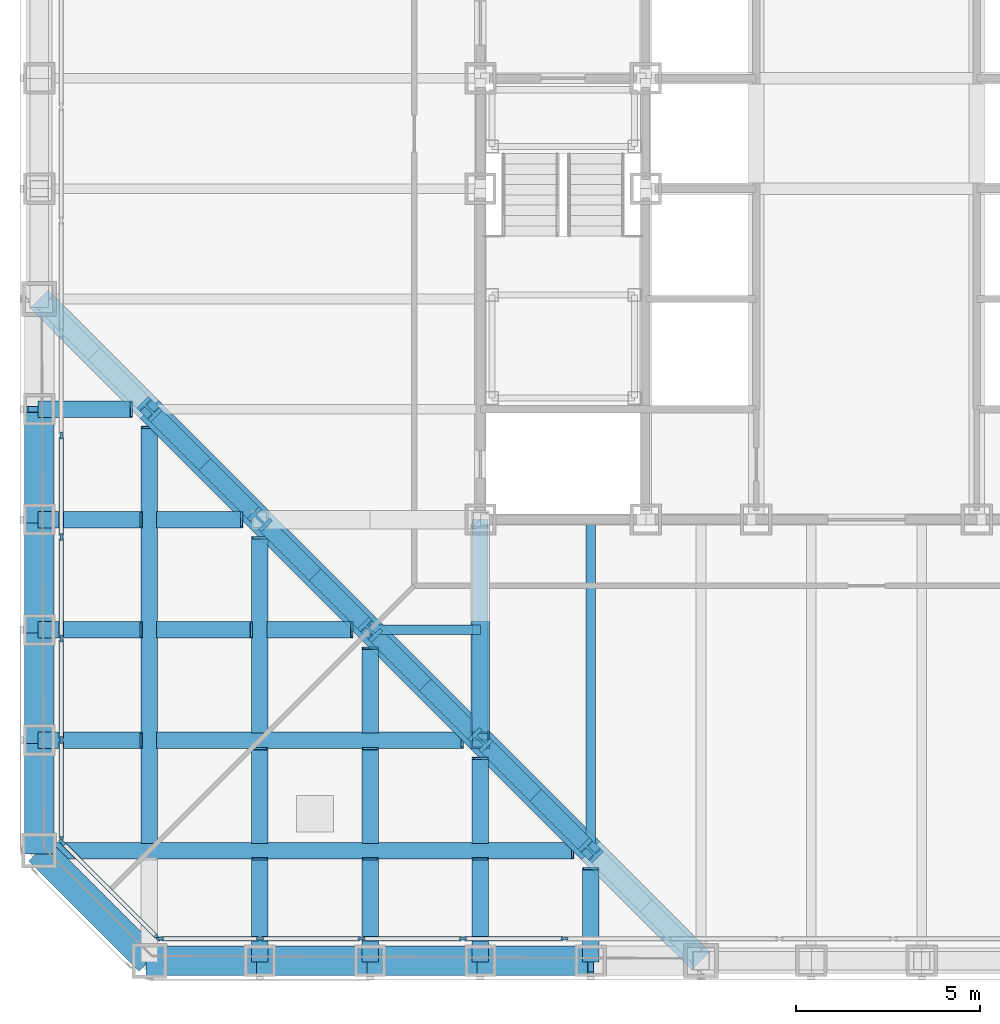
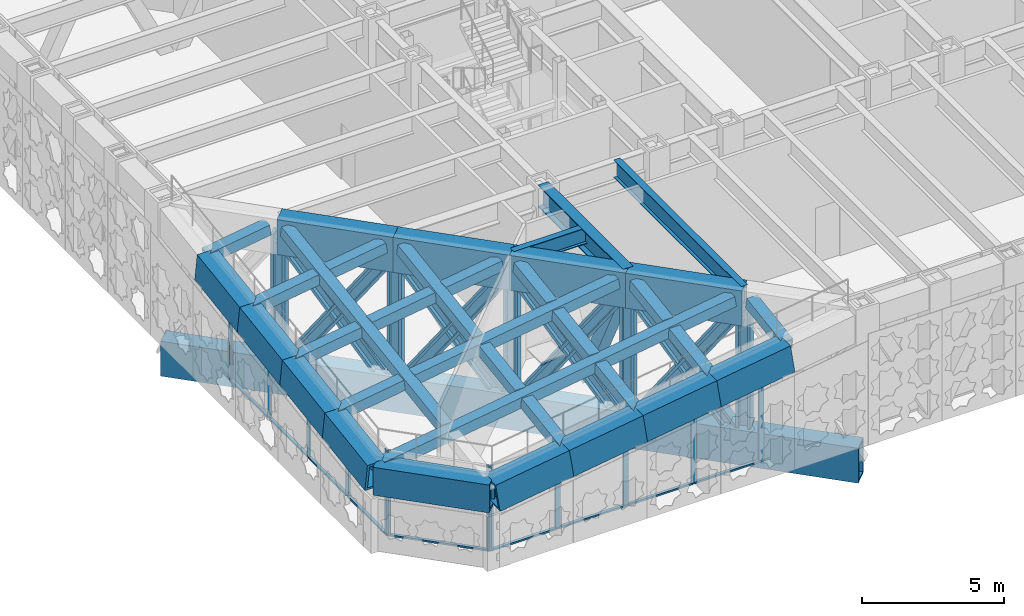
# One storey, part 4 of 31: 40 members, 31 beams, 3 elements without a shape of their own.
"""IFC4 building model written with IfcOpenShell, lengths in metres."""

from ifc_helpers import new_model, si_unit, direction, frame, origin, origin_2d, place, context, subcontext, project, spatial, rectangle, hollow_rectangle, i_section, extrude, material, layer, layer_set, material_profile, profile_set, type_object, element, aggregate, save


model = new_model("IFC4")

# Units and contexts
model_context = context("Model", 3, precision=1e-05, world=origin(), true_north=direction((0.0, 1.0)))
body_context = subcontext(model_context, "Body", "Model", "MODEL_VIEW")
ifc_project = project(units=[si_unit("LENGTHUNIT", "METRE"), si_unit("AREAUNIT", "SQUARE_METRE"), si_unit("VOLUMEUNIT", "CUBIC_METRE"), si_unit("PLANEANGLEUNIT", "RADIAN"), si_unit("MASSUNIT", "GRAM", prefix="KILO")], contexts=[model_context])

# Site, building, storey
site_placement = place(None, origin())
site = spatial("IfcSite", under=ifc_project, at=site_placement, CompositionType="ELEMENT")
building_placement = place(site_placement, origin())
building = spatial("IfcBuilding", under=site, at=building_placement, Name="Chuquiago Exchange Tower", CompositionType="ELEMENT")
storey_placement = place(building_placement, frame((0.0, 0.0, 96.300048828125)))
storey = spatial("IfcBuildingStorey", under=building, at=storey_placement, Name="L20", CompositionType="ELEMENT", Elevation=96.300048828125)

# Beams
ifc_material_1 = material(Name="Steel ASTM A992", Category="steel")
ifc_material_profile_1 = material_profile(ifc_material_1, i_section(OverallWidth=0.2666015625, OverallDepth=0.761962890625, WebThickness=0.014404296875, FlangeThickness=0.021484375, at=origin_2d()), Name="W30X116")
ifc_profile_set_1 = profile_set([ifc_material_profile_1], Name="Steel ASTM A992")
beam_type_1 = type_object("IfcBeamType", Name="B8 W30X116", PredefinedType="BEAM", material=ifc_profile_set_1)
beam_1_placement = place(storey_placement, frame((15.0, 12.0, 5.458984375), z_axis=(0.0, -1.0, 0.0), x_axis=(1.0, 0.0, 0.0)))
element("IfcBeam", 1, at=beam_1_placement, inside=storey, type_object=beam_type_1, Name="FB-L21-infill-15_12-15_3-0", PredefinedType="BEAM", context=body_context, shape_type="SweptSolid", body=[
    extrude(i_section(OverallWidth=0.2666015625, OverallDepth=0.761962890625, WebThickness=0.014404296875, FlangeThickness=0.021484375, at=origin_2d()), origin(), (0.0, 0.0, 1.0), 9.0),
])
ifc_material_2 = material(Name="Steel ASTM A992", Category="steel")
ifc_material_profile_2 = material_profile(ifc_material_2, i_section(OverallWidth=0.256591796875, OverallDepth=0.693359375, WebThickness=0.014404296875, FlangeThickness=0.023681640625, at=origin_2d()), Name="W27X114")
ifc_profile_set_2 = profile_set([ifc_material_profile_2], Name="Steel ASTM A992")
beam_type_2 = type_object("IfcBeamType", Name="B9 W27X114", PredefinedType="BEAM", material=ifc_profile_set_2)
beam_2_placement = place(storey_placement, frame((12.0, 9.0, 5.4931640625), z_axis=(-1.0, 0.0, 0.0), x_axis=(0.0, -1.0, 0.0)))
element("IfcBeam", 2, at=beam_2_placement, inside=storey, type_object=beam_type_2, Name="FB-L21-corner-12_9-9_9-0", PredefinedType="BEAM", context=body_context, shape_type="SweptSolid", body=[
    extrude(i_section(OverallWidth=0.256591796875, OverallDepth=0.693359375, WebThickness=0.014404296875, FlangeThickness=0.023681640625, at=origin_2d()), origin(), (0.0, 0.0, 1.0), 3.0),
])

# Curtain wall, members
ifc_material_3 = material(Name="Aluminium curtain wall system", Category="aluminium")
ifc_layer = layer(ifc_material_3, 0.199951171875)
ifc_layer_set = layer_set([ifc_layer], Name="CW6 plant floor louvre wall")
curtain_wall_type = type_object("IfcCurtainWallType", Name="CW6 plant floor louvre wall", PredefinedType="NOTDEFINED", material=ifc_layer_set)
curtain_wall_1_placement = place(storey_placement, origin())
curtain_wall_1 = element("IfcCurtainWall", 3, at=curtain_wall_1_placement, inside=storey, type_object=curtain_wall_type, Name="CW6 curtain wall L20", PredefinedType="NOTDEFINED")
ifc_material_4 = material(Name="Aluminium mullion, pale anodised", Category="aluminium")
ifc_material_profile_3 = material_profile(ifc_material_4, rectangle(XDim=0.074951171875, YDim=0.199951171875, at=origin_2d()), Name="AL 75x200")
ifc_profile_set_3 = profile_set([ifc_material_profile_3], Name="Aluminium mullion, pale anodised")
member_type_1 = type_object("IfcMemberType", Name="CW6-M mullion 75x200", PredefinedType="MULLION", material=ifc_profile_set_3)
member_1_placement = place(storey_placement, frame((3.285888671875, 0.60009765625, 0.0), z_axis=(0.0, 0.0, 1.0), x_axis=(0.0, 1.0, 0.0)))
member_1 = element("IfcMember", 4, at=member_1_placement, type_object=member_type_1, Name="CW6 mullion 1", PredefinedType="MULLION", context=body_context, shape_type="SweptSolid", body=[
    extrude(rectangle(XDim=0.074951171875, YDim=0.199951171875, at=origin_2d()), origin(), (0.0, 0.0, 1.0), 3.66845703125),
])
member_2_placement = place(storey_placement, frame((6.008056640625, 0.60009765625, 0.0), z_axis=(0.0, 0.0, 1.0), x_axis=(0.0, 1.0, 0.0)))
member_2 = element("IfcMember", 5, at=member_2_placement, type_object=member_type_1, Name="CW6 mullion 2", PredefinedType="MULLION", context=body_context, shape_type="SweptSolid", body=[
    extrude(rectangle(XDim=0.074951171875, YDim=0.199951171875, at=origin_2d()), origin(), (0.0, 0.0, 1.0), 3.66845703125),
])
member_3_placement = place(storey_placement, frame((8.767578125, 0.60009765625, 0.0), z_axis=(0.0, 0.0, 1.0), x_axis=(0.0, 1.0, 0.0)))
member_3 = element("IfcMember", 6, at=member_3_placement, type_object=member_type_1, Name="CW6 mullion 3", PredefinedType="MULLION", context=body_context, shape_type="SweptSolid", body=[
    extrude(rectangle(XDim=0.074951171875, YDim=0.199951171875, at=origin_2d()), origin(), (0.0, 0.0, 1.0), 3.66845703125),
])
member_4_placement = place(storey_placement, frame((11.52734375, 0.60009765625, 0.0), z_axis=(0.0, 0.0, 1.0), x_axis=(0.0, 1.0, 0.0)))
member_4 = element("IfcMember", 7, at=member_4_placement, type_object=member_type_1, Name="CW6 mullion 4", PredefinedType="MULLION", context=body_context, shape_type="SweptSolid", body=[
    extrude(rectangle(XDim=0.074951171875, YDim=0.199951171875, at=origin_2d()), origin(), (0.0, 0.0, 1.0), 3.66845703125),
])
member_5_placement = place(storey_placement, frame((14.286865234375, 0.60009765625, 0.0), z_axis=(0.0, 0.0, 1.0), x_axis=(0.0, 1.0, 0.0)))
member_5 = element("IfcMember", 8, at=member_5_placement, type_object=member_type_1, Name="CW6 mullion 5", PredefinedType="MULLION", context=body_context, shape_type="SweptSolid", body=[
    extrude(rectangle(XDim=0.074951171875, YDim=0.199951171875, at=origin_2d()), origin(), (0.0, 0.0, 1.0), 3.66845703125),
])

curtain_wall_2_placement = place(storey_placement, origin())
curtain_wall_2 = element("IfcCurtainWall", 9, at=curtain_wall_2_placement, inside=storey, type_object=curtain_wall_type, Name="CW6 curtain wall L20", PredefinedType="NOTDEFINED")
member_6_placement = place(storey_placement, frame((0.60009765625, 14.286865234375, 0.0), z_axis=(0.0, 0.0, 1.0), x_axis=(1.0, 0.0, 0.0)))
member_6 = element("IfcMember", 10, at=member_6_placement, type_object=member_type_1, Name="CW6 mullion 2", PredefinedType="MULLION", context=body_context, shape_type="SweptSolid", body=[
    extrude(rectangle(XDim=0.074951171875, YDim=0.199951171875, at=origin_2d()), origin(), (0.0, 0.0, 1.0), 3.66845703125),
])
member_7_placement = place(storey_placement, frame((0.60009765625, 11.52734375, 0.0), z_axis=(0.0, 0.0, 1.0), x_axis=(1.0, 0.0, 0.0)))
member_7 = element("IfcMember", 11, at=member_7_placement, type_object=member_type_1, Name="CW6 mullion 3", PredefinedType="MULLION", context=body_context, shape_type="SweptSolid", body=[
    extrude(rectangle(XDim=0.074951171875, YDim=0.199951171875, at=origin_2d()), origin(), (0.0, 0.0, 1.0), 3.66845703125),
])
member_8_placement = place(storey_placement, frame((0.60009765625, 8.767822265625, 0.0), z_axis=(0.0, 0.0, 1.0), x_axis=(1.0, 0.0, 0.0)))
member_8 = element("IfcMember", 12, at=member_8_placement, type_object=member_type_1, Name="CW6 mullion 4", PredefinedType="MULLION", context=body_context, shape_type="SweptSolid", body=[
    extrude(rectangle(XDim=0.074951171875, YDim=0.199951171875, at=origin_2d()), origin(), (0.0, 0.0, 1.0), 3.66845703125),
])
member_9_placement = place(storey_placement, frame((0.60009765625, 6.00830078125, 0.0), z_axis=(0.0, 0.0, 1.0), x_axis=(1.0, 0.0, 0.0)))
member_9 = element("IfcMember", 13, at=member_9_placement, type_object=member_type_1, Name="CW6 mullion 5", PredefinedType="MULLION", context=body_context, shape_type="SweptSolid", body=[
    extrude(rectangle(XDim=0.074951171875, YDim=0.199951171875, at=origin_2d()), origin(), (0.0, 0.0, 1.0), 3.66845703125),
])
member_10_placement = place(storey_placement, frame((0.60009765625, 3.2861328125, 0.0), z_axis=(0.0, 0.0, 1.0), x_axis=(1.0, 0.0, 0.0)))
member_10 = element("IfcMember", 14, at=member_10_placement, type_object=member_type_1, Name="CW6 mullion 6", PredefinedType="MULLION", context=body_context, shape_type="SweptSolid", body=[
    extrude(rectangle(XDim=0.074951171875, YDim=0.199951171875, at=origin_2d()), origin(), (0.0, 0.0, 1.0), 3.66845703125),
])

curtain_wall_3_placement = place(storey_placement, origin())
curtain_wall_3 = element("IfcCurtainWall", 15, at=curtain_wall_3_placement, inside=storey, type_object=curtain_wall_type, Name="CW6 curtain wall L20", PredefinedType="NOTDEFINED")
member_11_placement = place(storey_placement, frame((0.62646484375, 3.221923828125, 0.0), z_axis=(0.0, 0.0, 1.0), x_axis=(0.707106781187, 0.707106781187, 0.0)))
member_11 = element("IfcMember", 16, at=member_11_placement, type_object=member_type_1, Name="CW6 mullion 1", PredefinedType="MULLION", context=body_context, shape_type="SweptSolid", body=[
    extrude(rectangle(XDim=0.074951171875, YDim=0.199951171875, at=origin_2d()), origin(), (0.0, 0.0, 1.0), 3.66845703125),
])
member_12_placement = place(storey_placement, frame((3.221923828125, 0.62646484375, 0.0), z_axis=(0.0, 0.0, 1.0), x_axis=(0.707106781187, 0.707106781187, 0.0)))
member_12 = element("IfcMember", 17, at=member_12_placement, type_object=member_type_1, Name="CW6 mullion 2", PredefinedType="MULLION", context=body_context, shape_type="SweptSolid", body=[
    extrude(rectangle(XDim=0.074951171875, YDim=0.199951171875, at=origin_2d()), origin(), (0.0, 0.0, 1.0), 3.66845703125),
])

# Member
ifc_material_5 = material(Name="Aluminium transom, pale anodised", Category="aluminium")
ifc_material_profile_4 = material_profile(ifc_material_5, rectangle(XDim=0.1201171875, YDim=0.074951171875, at=origin_2d()), Name="AL 120x75")
ifc_profile_set_4 = profile_set([ifc_material_profile_4], Name="Aluminium transom, pale anodised")
member_type_2 = type_object("IfcMemberType", Name="CW6-T transom 75x120", PredefinedType="MULLION", material=ifc_profile_set_4)
member_13_placement = place(storey_placement, frame((3.323486328125, 0.60009765625, 0.037353515625), z_axis=(1.0, 0.0, 0.0), x_axis=(0.0, 1.0, 0.0)))
member_13 = element("IfcMember", 18, at=member_13_placement, type_object=member_type_2, Name="CW6 transom 1.1", PredefinedType="MULLION", context=body_context, shape_type="SweptSolid", body=[
    extrude(rectangle(XDim=0.1201171875, YDim=0.074951171875, at=origin_2d()), origin(), (0.0, 0.0, 1.0), 2.64697265625),
])

member_14_placement = place(storey_placement, frame((6.045654296875, 0.60009765625, 0.037353515625), z_axis=(1.0, 0.0, 0.0), x_axis=(0.0, 1.0, 0.0)))
member_14 = element("IfcMember", 19, at=member_14_placement, type_object=member_type_2, Name="CW6 transom 2.1", PredefinedType="MULLION", context=body_context, shape_type="SweptSolid", body=[
    extrude(rectangle(XDim=0.1201171875, YDim=0.074951171875, at=origin_2d()), origin(), (0.0, 0.0, 1.0), 2.6845703125),
])

member_15_placement = place(storey_placement, frame((8.80517578125, 0.60009765625, 0.037353515625), z_axis=(1.0, 0.0, 0.0), x_axis=(0.0, 1.0, 0.0)))
member_15 = element("IfcMember", 20, at=member_15_placement, type_object=member_type_2, Name="CW6 transom 3.1", PredefinedType="MULLION", context=body_context, shape_type="SweptSolid", body=[
    extrude(rectangle(XDim=0.1201171875, YDim=0.074951171875, at=origin_2d()), origin(), (0.0, 0.0, 1.0), 2.6845703125),
])

member_16_placement = place(storey_placement, frame((11.564697265625, 0.60009765625, 0.037353515625), z_axis=(1.0, 0.0, 0.0), x_axis=(0.0, 1.0, 0.0)))
member_16 = element("IfcMember", 21, at=member_16_placement, type_object=member_type_2, Name="CW6 transom 4.1", PredefinedType="MULLION", context=body_context, shape_type="SweptSolid", body=[
    extrude(rectangle(XDim=0.1201171875, YDim=0.074951171875, at=origin_2d()), origin(), (0.0, 0.0, 1.0), 2.6845703125),
])

aggregate(curtain_wall_1, [member_1, member_2, member_3, member_4, member_5, member_13, member_14, member_15, member_16])

member_17_placement = place(storey_placement, frame((0.60009765625, 14.24951171875, 0.037353515625), z_axis=(0.0, -1.0, 0.0), x_axis=(1.0, 0.0, 0.0)))
member_17 = element("IfcMember", 22, at=member_17_placement, type_object=member_type_2, Name="CW6 transom 2.1", PredefinedType="MULLION", context=body_context, shape_type="SweptSolid", body=[
    extrude(rectangle(XDim=0.1201171875, YDim=0.074951171875, at=origin_2d()), origin(), (0.0, 0.0, 1.0), 2.6845703125),
])

member_18_placement = place(storey_placement, frame((0.60009765625, 11.48974609375, 0.037353515625), z_axis=(0.0, -1.0, 0.0), x_axis=(1.0, 0.0, 0.0)))
member_18 = element("IfcMember", 23, at=member_18_placement, type_object=member_type_2, Name="CW6 transom 3.1", PredefinedType="MULLION", context=body_context, shape_type="SweptSolid", body=[
    extrude(rectangle(XDim=0.1201171875, YDim=0.074951171875, at=origin_2d()), origin(), (0.0, 0.0, 1.0), 2.6845703125),
])

member_19_placement = place(storey_placement, frame((0.60009765625, 8.730224609375, 0.037353515625), z_axis=(0.0, -1.0, 0.0), x_axis=(1.0, 0.0, 0.0)))
member_19 = element("IfcMember", 24, at=member_19_placement, type_object=member_type_2, Name="CW6 transom 4.1", PredefinedType="MULLION", context=body_context, shape_type="SweptSolid", body=[
    extrude(rectangle(XDim=0.1201171875, YDim=0.074951171875, at=origin_2d()), origin(), (0.0, 0.0, 1.0), 2.6845703125),
])

member_20_placement = place(storey_placement, frame((0.60009765625, 5.970703125, 0.037353515625), z_axis=(0.0, -1.0, 0.0), x_axis=(1.0, 0.0, 0.0)))
member_20 = element("IfcMember", 25, at=member_20_placement, type_object=member_type_2, Name="CW6 transom 5.1", PredefinedType="MULLION", context=body_context, shape_type="SweptSolid", body=[
    extrude(rectangle(XDim=0.1201171875, YDim=0.074951171875, at=origin_2d()), origin(), (0.0, 0.0, 1.0), 2.647216796875),
])

aggregate(curtain_wall_2, [member_6, member_7, member_8, member_9, member_10, member_17, member_18, member_19, member_20])

member_21_placement = place(storey_placement, frame((0.653076171875, 3.195556640625, 0.037353515625), z_axis=(0.707106781187, -0.707106781187, 0.0), x_axis=(0.707106781187, 0.707106781187, 0.0)))
member_21 = element("IfcMember", 26, at=member_21_placement, type_object=member_type_2, Name="CW6 transom 1.1", PredefinedType="MULLION", context=body_context, shape_type="SweptSolid", body=[
    extrude(rectangle(XDim=0.1201171875, YDim=0.074951171875, at=origin_2d()), origin(), (0.0, 0.0, 1.0), 3.595703125),
])

aggregate(curtain_wall_3, [member_11, member_12, member_21])

# Beams
ifc_material_6 = material(Name="Steel ASTM A572 Grade 50", Category="steel")
ifc_material_profile_5 = material_profile(ifc_material_6, hollow_rectangle(XDim=0.800048828125, YDim=1.199951171875, WallThickness=0.10009765625, at=origin_2d()), Name="BOX1200X800X100")
ifc_profile_set_5 = profile_set([ifc_material_profile_5], Name="Steel ASTM A572 Grade 50")
beam_type_3 = type_object("IfcBeamType", Name="EB1 BOX1200X800X100", PredefinedType="BEAM", material=ifc_profile_set_5)
for number, where, z_axis, x_axis, name in (
    (27, (3.0, 0.0, 2.945556640625), (0.988903271683, 0.0, 0.148560826784), (0.0, 1.0, 0.0), "Facet roof edge beam L20"),
    (28, (6.0, 0.0, 3.396240234375), (0.98889144561, 0.0, 0.148639526371), (0.0, 1.0, 0.0), "Facet roof edge beam L20"),
    (29, (9.0, 0.0, 3.84716796875), (0.98889144561, 0.0, 0.148639526371), (0.0, 1.0, 0.0), "Facet roof edge beam L20"),
    (30, (12.0, 0.0, 4.298095703125), (0.98889144561, 0.0, 0.148639526371), (0.0, 1.0, 0.0), "Facet roof edge beam L20"),
    (31, (0.0, 15.0, 4.7490234375), (0.0, -0.98889144561, -0.148639526371), (1.0, 0.0, 0.0), "Facet roof edge beam L20"),
    (32, (0.0, 12.0, 4.298095703125), (0.0, -0.98889144561, -0.148639526371), (1.0, 0.0, 0.0), "Facet roof edge beam L20"),
    (33, (0.0, 9.0, 3.84716796875), (0.0, -0.98889144561, -0.148639526371), (1.0, 0.0, 0.0), "Facet roof edge beam L20"),
    (34, (0.0, 6.0, 3.396240234375), (0.0, -0.988903271683, -0.148560826784), (1.0, 0.0, 0.0), "Facet roof edge beam L20"),
):
    element("IfcBeam", number, at=place(storey_placement, frame(where, z_axis=z_axis, x_axis=x_axis)), inside=storey, type_object=beam_type_3, Name=name, PredefinedType="BEAM", context=body_context, shape_type="SweptSolid", body=[
        extrude(hollow_rectangle(XDim=0.800048828125, YDim=1.199951171875, WallThickness=0.10009765625, at=origin_2d()), origin(), (0.0, 0.0, 1.0), 3.03369140625),
    ])
beam_3_placement = place(storey_placement, frame((0.0, 3.0, 2.945556640625), z_axis=(0.707106781187, -0.707106781187, 0.0), x_axis=(0.707106781187, 0.707106781187, 0.0)))
element("IfcBeam", 35, at=beam_3_placement, inside=storey, type_object=beam_type_3, Name="Facet roof edge beam L20", PredefinedType="BEAM", context=body_context, shape_type="SweptSolid", body=[
    extrude(hollow_rectangle(XDim=0.800048828125, YDim=1.199951171875, WallThickness=0.10009765625, at=origin_2d()), origin(), (0.0, 0.0, 1.0), 4.24267578125),
])
ifc_material_7 = material(Name="Steel ASTM A572 Grade 50", Category="steel")
ifc_material_profile_6 = material_profile(ifc_material_7, hollow_rectangle(XDim=0.449951171875, YDim=0.449951171875, WallThickness=0.034912109375, at=origin_2d()), Name="BOX450X450X35")
ifc_profile_set_6 = profile_set([ifc_material_profile_6], Name="Steel ASTM A572 Grade 50")
beam_type_4 = type_object("IfcBeamType", Name="FR1 BOX450X450X35", PredefinedType="BEAM", material=ifc_profile_set_6)
beam_4_placement = place(storey_placement, frame((2.507080078125, 15.0, 5.464599609375), z_axis=(-0.988884730107, 0.0, -0.148684197418), x_axis=(0.0, -1.0, 0.0)))
element("IfcBeam", 36, at=beam_4_placement, inside=storey, type_object=beam_type_4, Name="Facet roof rafter L20", PredefinedType="BEAM", context=body_context, shape_type="SweptSolid", body=[
    extrude(hollow_rectangle(XDim=0.449951171875, YDim=0.449951171875, WallThickness=0.034912109375, at=origin_2d()), origin(), (0.0, 0.0, 1.0), 2.53515625),
])
beam_5_placement = place(storey_placement, frame((3.0, 14.507080078125, 5.464599609375), z_axis=(0.0, -0.988891258488, -0.148640771277), x_axis=(1.0, 0.0, 0.0)))
element("IfcBeam", 37, at=beam_5_placement, inside=storey, type_object=beam_type_4, Name="Facet roof rafter L20", PredefinedType="BEAM", context=body_context, shape_type="SweptSolid", body=[
    extrude(hollow_rectangle(XDim=0.449951171875, YDim=0.449951171875, WallThickness=0.034912109375, at=origin_2d()), origin(), (0.0, 0.0, 1.0), 11.40869140625),
])
beam_6_placement = place(storey_placement, frame((5.507080078125, 12.0, 5.464599609375), z_axis=(-0.988890520477, 0.0, -0.148645681103), x_axis=(0.0, -1.0, 0.0)))
element("IfcBeam", 38, at=beam_6_placement, inside=storey, type_object=beam_type_4, Name="Facet roof rafter L20", PredefinedType="BEAM", context=body_context, shape_type="SweptSolid", body=[
    extrude(hollow_rectangle(XDim=0.449951171875, YDim=0.449951171875, WallThickness=0.034912109375, at=origin_2d()), origin(), (0.0, 0.0, 1.0), 2.3076171875),
])
beam_7_placement = place(storey_placement, frame((2.77490234375, 12.0, 5.053955078125), z_axis=(-0.988896750706, 0.0, -0.148604227539), x_axis=(0.0, -1.0, 0.0)))
element("IfcBeam", 39, at=beam_7_placement, inside=storey, type_object=beam_type_4, Name="Facet roof rafter L20", PredefinedType="BEAM", context=body_context, shape_type="SweptSolid", body=[
    extrude(hollow_rectangle(XDim=0.449951171875, YDim=0.449951171875, WallThickness=0.034912109375, at=origin_2d()), origin(), (0.0, 0.0, 1.0), 2.80615234375),
])
beam_8_placement = place(storey_placement, frame((6.0, 11.507080078125, 5.464599609375), z_axis=(0.0, -0.988891045928, -0.148642185411), x_axis=(1.0, 0.0, 0.0)))
element("IfcBeam", 40, at=beam_8_placement, inside=storey, type_object=beam_type_4, Name="Facet roof rafter L20", PredefinedType="BEAM", context=body_context, shape_type="SweptSolid", body=[
    extrude(hollow_rectangle(XDim=0.449951171875, YDim=0.449951171875, WallThickness=0.034912109375, at=origin_2d()), origin(), (0.0, 0.0, 1.0), 5.34130859375),
])
beam_9_placement = place(storey_placement, frame((6.0, 5.77490234375, 4.60302734375), z_axis=(0.0, -0.988889076053, -0.148655290062), x_axis=(1.0, 0.0, 0.0)))
element("IfcBeam", 41, at=beam_9_placement, inside=storey, type_object=beam_type_4, Name="Facet roof rafter L20", PredefinedType="BEAM", context=body_context, shape_type="SweptSolid", body=[
    extrude(hollow_rectangle(XDim=0.449951171875, YDim=0.449951171875, WallThickness=0.034912109375, at=origin_2d()), origin(), (0.0, 0.0, 1.0), 2.578369140625),
])
beam_10_placement = place(storey_placement, frame((6.0, 2.77490234375, 4.152099609375), z_axis=(0.0, -0.988896750706, -0.148604227539), x_axis=(1.0, 0.0, 0.0)))
element("IfcBeam", 42, at=beam_10_placement, inside=storey, type_object=beam_type_4, Name="Facet roof rafter L20", PredefinedType="BEAM", context=body_context, shape_type="SweptSolid", body=[
    extrude(hollow_rectangle(XDim=0.449951171875, YDim=0.449951171875, WallThickness=0.034912109375, at=origin_2d()), origin(), (0.0, 0.0, 1.0), 2.80615234375),
])
beam_11_placement = place(storey_placement, frame((8.507080078125, 9.0, 5.464599609375), z_axis=(-0.988890520477, 0.0, -0.148645681103), x_axis=(0.0, -1.0, 0.0)))
element("IfcBeam", 43, at=beam_11_placement, inside=storey, type_object=beam_type_4, Name="Facet roof rafter L20", PredefinedType="BEAM", context=body_context, shape_type="SweptSolid", body=[
    extrude(hollow_rectangle(XDim=0.449951171875, YDim=0.449951171875, WallThickness=0.034912109375, at=origin_2d()), origin(), (0.0, 0.0, 1.0), 2.3076171875),
])
beam_12_placement = place(storey_placement, frame((5.77490234375, 9.0, 5.053955078125), z_axis=(-0.988889076053, 0.0, -0.148655290062), x_axis=(0.0, -1.0, 0.0)))
element("IfcBeam", 44, at=beam_12_placement, inside=storey, type_object=beam_type_4, Name="Facet roof rafter L20", PredefinedType="BEAM", context=body_context, shape_type="SweptSolid", body=[
    extrude(hollow_rectangle(XDim=0.449951171875, YDim=0.449951171875, WallThickness=0.034912109375, at=origin_2d()), origin(), (0.0, 0.0, 1.0), 2.578369140625),
])
beam_13_placement = place(storey_placement, frame((2.77490234375, 9.0, 4.60302734375), z_axis=(-0.988896750706, 0.0, -0.148604227539), x_axis=(0.0, -1.0, 0.0)))
element("IfcBeam", 45, at=beam_13_placement, inside=storey, type_object=beam_type_4, Name="Facet roof rafter L20", PredefinedType="BEAM", context=body_context, shape_type="SweptSolid", body=[
    extrude(hollow_rectangle(XDim=0.449951171875, YDim=0.449951171875, WallThickness=0.034912109375, at=origin_2d()), origin(), (0.0, 0.0, 1.0), 2.80615234375),
])
beam_14_placement = place(storey_placement, frame((9.0, 8.507080078125, 5.464599609375), z_axis=(0.0, -0.988890520477, -0.148645681103), x_axis=(1.0, 0.0, 0.0)))
element("IfcBeam", 46, at=beam_14_placement, inside=storey, type_object=beam_type_4, Name="Facet roof rafter L20", PredefinedType="BEAM", context=body_context, shape_type="SweptSolid", body=[
    extrude(hollow_rectangle(XDim=0.449951171875, YDim=0.449951171875, WallThickness=0.034912109375, at=origin_2d()), origin(), (0.0, 0.0, 1.0), 2.3076171875),
])
beam_15_placement = place(storey_placement, frame((9.0, 5.77490234375, 5.053955078125), z_axis=(0.0, -0.988889076053, -0.148655290062), x_axis=(1.0, 0.0, 0.0)))
element("IfcBeam", 47, at=beam_15_placement, inside=storey, type_object=beam_type_4, Name="Facet roof rafter L20", PredefinedType="BEAM", context=body_context, shape_type="SweptSolid", body=[
    extrude(hollow_rectangle(XDim=0.449951171875, YDim=0.449951171875, WallThickness=0.034912109375, at=origin_2d()), origin(), (0.0, 0.0, 1.0), 2.578369140625),
])
beam_16_placement = place(storey_placement, frame((9.0, 2.77490234375, 4.60302734375), z_axis=(0.0, -0.988896750706, -0.148604227539), x_axis=(1.0, 0.0, 0.0)))
element("IfcBeam", 48, at=beam_16_placement, inside=storey, type_object=beam_type_4, Name="Facet roof rafter L20", PredefinedType="BEAM", context=body_context, shape_type="SweptSolid", body=[
    extrude(hollow_rectangle(XDim=0.449951171875, YDim=0.449951171875, WallThickness=0.034912109375, at=origin_2d()), origin(), (0.0, 0.0, 1.0), 2.80615234375),
])
beam_17_placement = place(storey_placement, frame((11.507080078125, 6.0, 5.464599609375), z_axis=(-0.988891190706, 0.0, -0.148641222221), x_axis=(0.0, -1.0, 0.0)))
element("IfcBeam", 49, at=beam_17_placement, inside=storey, type_object=beam_type_4, Name="Facet roof rafter L20", PredefinedType="BEAM", context=body_context, shape_type="SweptSolid", body=[
    extrude(hollow_rectangle(XDim=0.449951171875, YDim=0.449951171875, WallThickness=0.034912109375, at=origin_2d()), origin(), (0.0, 0.0, 1.0), 8.375),
])
beam_18_placement = place(storey_placement, frame((2.77490234375, 6.0, 4.152099609375), z_axis=(-0.988896750706, 0.0, -0.148604227539), x_axis=(0.0, -1.0, 0.0)))
element("IfcBeam", 50, at=beam_18_placement, inside=storey, type_object=beam_type_4, Name="Facet roof rafter L20", PredefinedType="BEAM", context=body_context, shape_type="SweptSolid", body=[
    extrude(hollow_rectangle(XDim=0.449951171875, YDim=0.449951171875, WallThickness=0.034912109375, at=origin_2d()), origin(), (0.0, 0.0, 1.0), 2.80615234375),
])
beam_19_placement = place(storey_placement, frame((12.0, 5.507080078125, 5.464599609375), z_axis=(0.0, -0.988890520477, -0.148645681103), x_axis=(1.0, 0.0, 0.0)))
element("IfcBeam", 51, at=beam_19_placement, inside=storey, type_object=beam_type_4, Name="Facet roof rafter L20", PredefinedType="BEAM", context=body_context, shape_type="SweptSolid", body=[
    extrude(hollow_rectangle(XDim=0.449951171875, YDim=0.449951171875, WallThickness=0.034912109375, at=origin_2d()), origin(), (0.0, 0.0, 1.0), 2.3076171875),
])
beam_20_placement = place(storey_placement, frame((12.0, 2.77490234375, 5.053955078125), z_axis=(0.0, -0.988896750706, -0.148604227539), x_axis=(1.0, 0.0, 0.0)))
element("IfcBeam", 52, at=beam_20_placement, inside=storey, type_object=beam_type_4, Name="Facet roof rafter L20", PredefinedType="BEAM", context=body_context, shape_type="SweptSolid", body=[
    extrude(hollow_rectangle(XDim=0.449951171875, YDim=0.449951171875, WallThickness=0.034912109375, at=origin_2d()), origin(), (0.0, 0.0, 1.0), 2.80615234375),
])
beam_21_placement = place(storey_placement, frame((14.507080078125, 3.0, 5.464599609375), z_axis=(-0.988892731381, 0.0, -0.148630971945), x_axis=(0.0, -1.0, 0.0)))
element("IfcBeam", 53, at=beam_21_placement, inside=storey, type_object=beam_type_4, Name="Facet roof rafter L20", PredefinedType="BEAM", context=body_context, shape_type="SweptSolid", body=[
    extrude(hollow_rectangle(XDim=0.449951171875, YDim=0.449951171875, WallThickness=0.034912109375, at=origin_2d()), origin(), (0.0, 0.0, 1.0), 14.669921875),
])
beam_22_placement = place(storey_placement, frame((15.0, 2.507080078125, 5.464599609375), z_axis=(0.0, -0.988884730107, -0.148684197418), x_axis=(1.0, 0.0, 0.0)))
element("IfcBeam", 54, at=beam_22_placement, inside=storey, type_object=beam_type_4, Name="Facet roof rafter L20", PredefinedType="BEAM", context=body_context, shape_type="SweptSolid", body=[
    extrude(hollow_rectangle(XDim=0.449951171875, YDim=0.449951171875, WallThickness=0.034912109375, at=origin_2d()), origin(), (0.0, 0.0, 1.0), 2.53515625),
])
ifc_material_8 = material(Name="Steel ASTM A992", Category="steel")
ifc_material_profile_7 = material_profile(ifc_material_8, i_section(OverallWidth=0.424072265625, OverallDepth=0.947509765625, WebThickness=0.02392578125, FlangeThickness=0.042724609375, at=origin_2d()), Name="W36X302")
ifc_profile_set_7 = profile_set([ifc_material_profile_7], Name="Steel ASTM A992")
beam_type_5 = type_object("IfcBeamType", Name="G4 W36X302", PredefinedType="BEAM", material=ifc_profile_set_7)
beam_23_placement = place(storey_placement, frame((12.0, 12.0, 5.3662109375), z_axis=(0.0, -1.0, 0.0), x_axis=(1.0, 0.0, 0.0)))
element("IfcBeam", 55, at=beam_23_placement, inside=storey, type_object=beam_type_5, Name="FB-L21-girder-12_12-12_6-0", PredefinedType="BEAM", context=body_context, shape_type="SweptSolid", body=[
    extrude(i_section(OverallWidth=0.424072265625, OverallDepth=0.947509765625, WebThickness=0.02392578125, FlangeThickness=0.042724609375, at=origin_2d()), origin(), (0.0, 0.0, 1.0), 6.0),
])

# Members
ifc_material_9 = material(Name="Steel ASTM A572 Grade 50", Category="steel")
ifc_material_profile_8 = material_profile(ifc_material_9, hollow_rectangle(XDim=0.5, YDim=0.5, WallThickness=0.0400390625, at=origin_2d()), Name="BOX500X500X40")
ifc_profile_set_8 = profile_set([ifc_material_profile_8], Name="Steel ASTM A572 Grade 50")
member_type_3 = type_object("IfcMemberType", Name="OT1 BOX500X500X40", PredefinedType="BRACE", material=ifc_profile_set_8)
member_22_placement = place(storey_placement, frame((12.0, 9.0, -0.6337890625), z_axis=(0.0, -0.4472135955, 0.894427191), x_axis=(1.0, 0.0, 0.0)))
element("IfcMember", 56, at=member_22_placement, inside=storey, type_object=member_type_3, Name="Outrigger diagonal L20", PredefinedType="BRACE", context=body_context, shape_type="SweptSolid", body=[
    extrude(hollow_rectangle(XDim=0.5, YDim=0.5, WallThickness=0.0400390625, at=origin_2d()), origin(), (0.0, 0.0, 1.0), 6.708251953125),
])
ifc_material_10 = material(Name="Steel ASTM A572 Grade 50", Category="steel")
ifc_material_profile_9 = material_profile(ifc_material_10, hollow_rectangle(XDim=0.699951171875, YDim=1.5, WallThickness=0.080078125, at=origin_2d()), Name="BOX1500X700X80")
ifc_profile_set_9 = profile_set([ifc_material_profile_9], Name="Steel ASTM A572 Grade 50")
member_type_4 = type_object("IfcMemberType", Name="TT1 BOX1500X700X80", PredefinedType="CHORD", material=ifc_profile_set_9)
for number, where, z_axis, x_axis, name in (
    (57, (3.0, 15.0, 5.08984375), (0.707106781187, -0.707106781187, 0.0), (0.707106781187, 0.707106781187, 0.0), "Transfer truss L20 SW top chord"),
    (58, (6.0, 12.0, 5.08984375), (0.707106781187, -0.707106781187, 0.0), (0.707106781187, 0.707106781187, 0.0), "Transfer truss L20 SW top chord"),
    (59, (9.0, 9.0, 5.08984375), (0.707106781187, -0.707106781187, 0.0), (0.707106781187, 0.707106781187, 0.0), "Transfer truss L20 SW top chord"),
    (60, (12.0, 6.0, 5.08984375), (0.707106781187, -0.707106781187, 0.0), (0.707106781187, 0.707106781187, 0.0), "Transfer truss L20 SW top chord"),
):
    element("IfcMember", number, at=place(storey_placement, frame(where, z_axis=z_axis, x_axis=x_axis)), inside=storey, type_object=member_type_4, Name=name, PredefinedType="CHORD", context=body_context, shape_type="SweptSolid", body=[
        extrude(hollow_rectangle(XDim=0.699951171875, YDim=1.5, WallThickness=0.080078125, at=origin_2d()), origin(), (0.0, 0.0, 1.0), 4.24267578125),
    ])
member_23_placement = place(storey_placement, frame((0.0, 18.0, -0.91015625), z_axis=(0.707106781187, -0.707106781187, 0.0), x_axis=(0.707106781187, 0.707106781187, 0.0)))
element("IfcMember", 61, at=member_23_placement, inside=storey, type_object=member_type_4, Name="Transfer truss L20 SW bottom chord", PredefinedType="CHORD", context=body_context, shape_type="SweptSolid", body=[
    extrude(hollow_rectangle(XDim=0.699951171875, YDim=1.5, WallThickness=0.080078125, at=origin_2d()), origin(), (0.0, 0.0, 1.0), 25.455810546875),
])
ifc_material_11 = material(Name="Steel ASTM A992", Category="steel")
ifc_material_profile_10 = material_profile(ifc_material_11, i_section(OverallWidth=0.44189453125, OverallDepth=0.53076171875, WebThickness=0.06591796875, FlangeThickness=0.105712890625, at=origin_2d()), Name="W14X605")
ifc_profile_set_10 = profile_set([ifc_material_profile_10], Name="Steel ASTM A992")
member_type_5 = type_object("IfcMemberType", Name="TT2 W14X605", PredefinedType="STRUT", material=ifc_profile_set_10)
for number, where, z_axis, x_axis, name in (
    (62, (3.0, 15.0, -0.91015625), (0.0, 0.0, 1.0), (-0.707106781187, -0.707106781187, 0.0), "Transfer truss L20 SW post"),
    (63, (6.0, 12.0, -0.91015625), (0.0, 0.0, 1.0), (-0.707106781187, -0.707106781187, 0.0), "Transfer truss L20 SW post"),
    (64, (9.0, 9.0, -0.91015625), (0.0, 0.0, 1.0), (-0.707106781187, -0.707106781187, 0.0), "Transfer truss L20 SW post"),
    (65, (12.0, 6.0, -0.91015625), (0.0, 0.0, 1.0), (-0.707106781187, -0.707106781187, 0.0), "Transfer truss L20 SW post"),
    (66, (15.0, 3.0, -0.91015625), (0.0, 0.0, 1.0), (-0.707106781187, -0.707106781187, 0.0), "Transfer truss L20 SW post"),
):
    element("IfcMember", number, at=place(storey_placement, frame(where, z_axis=z_axis, x_axis=x_axis)), inside=storey, type_object=member_type_5, Name=name, PredefinedType="STRUT", context=body_context, shape_type="SweptSolid", body=[
        extrude(i_section(OverallWidth=0.44189453125, OverallDepth=0.53076171875, WebThickness=0.06591796875, FlangeThickness=0.105712890625, at=origin_2d()), origin(), (0.0, 0.0, 1.0), 6.0),
    ])
ifc_material_12 = material(Name="Steel ASTM A992", Category="steel")
ifc_material_profile_11 = material_profile(ifc_material_12, i_section(OverallWidth=0.436767578125, OverallDepth=0.51318359375, WebThickness=0.060546875, FlangeThickness=0.096923828125, at=origin_2d()), Name="W14X550")
ifc_profile_set_11 = profile_set([ifc_material_profile_11], Name="Steel ASTM A992")
member_type_6 = type_object("IfcMemberType", Name="TT4 W14X550", PredefinedType="BRACE", material=ifc_profile_set_11)
for number, where, z_axis, x_axis, name in (
    (67, (6.0, 12.0, -0.91015625), (-0.408248290464, 0.408248290464, 0.816496580928), (-0.707106781187, -0.707106781187, 0.0), "Transfer truss L20 SW diagonal"),
    (68, (3.0, 15.0, -0.91015625), (0.408248290464, -0.408248290464, 0.816496580928), (0.707106781187, 0.707106781187, 0.0), "Transfer truss L20 SW counter-diagonal"),
    (69, (6.0, 12.0, -0.91015625), (0.408248290464, -0.408248290464, 0.816496580928), (0.707106781187, 0.707106781187, 0.0), "Transfer truss L20 SW diagonal"),
    (70, (9.0, 9.0, -0.91015625), (-0.408248290464, 0.408248290464, 0.816496580928), (-0.707106781187, -0.707106781187, 0.0), "Transfer truss L20 SW counter-diagonal"),
    (71, (12.0, 6.0, -0.91015625), (-0.408248290464, 0.408248290464, 0.816496580928), (-0.707106781187, -0.707106781187, 0.0), "Transfer truss L20 SW diagonal"),
    (72, (9.0, 9.0, -0.91015625), (0.408248290464, -0.408248290464, 0.816496580928), (0.707106781187, 0.707106781187, 0.0), "Transfer truss L20 SW counter-diagonal"),
    (73, (12.0, 6.0, -0.91015625), (0.408248290464, -0.408248290464, 0.816496580928), (0.707106781187, 0.707106781187, 0.0), "Transfer truss L20 SW diagonal"),
    (74, (15.0, 3.0, -0.91015625), (-0.408248290464, 0.408248290464, 0.816496580928), (-0.707106781187, -0.707106781187, 0.0), "Transfer truss L20 SW counter-diagonal"),
):
    element("IfcMember", number, at=place(storey_placement, frame(where, z_axis=z_axis, x_axis=x_axis)), inside=storey, type_object=member_type_6, Name=name, PredefinedType="BRACE", context=body_context, shape_type="SweptSolid", body=[
        extrude(i_section(OverallWidth=0.436767578125, OverallDepth=0.51318359375, WebThickness=0.060546875, FlangeThickness=0.096923828125, at=origin_2d()), origin(), (0.0, 0.0, 1.0), 7.348388671875),
    ])

save(model, "model.ifc")
